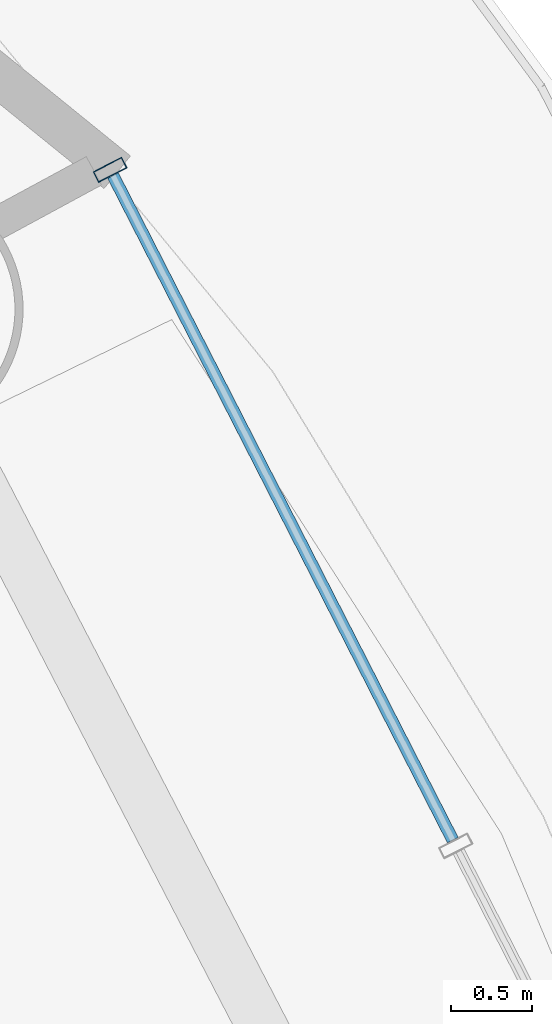
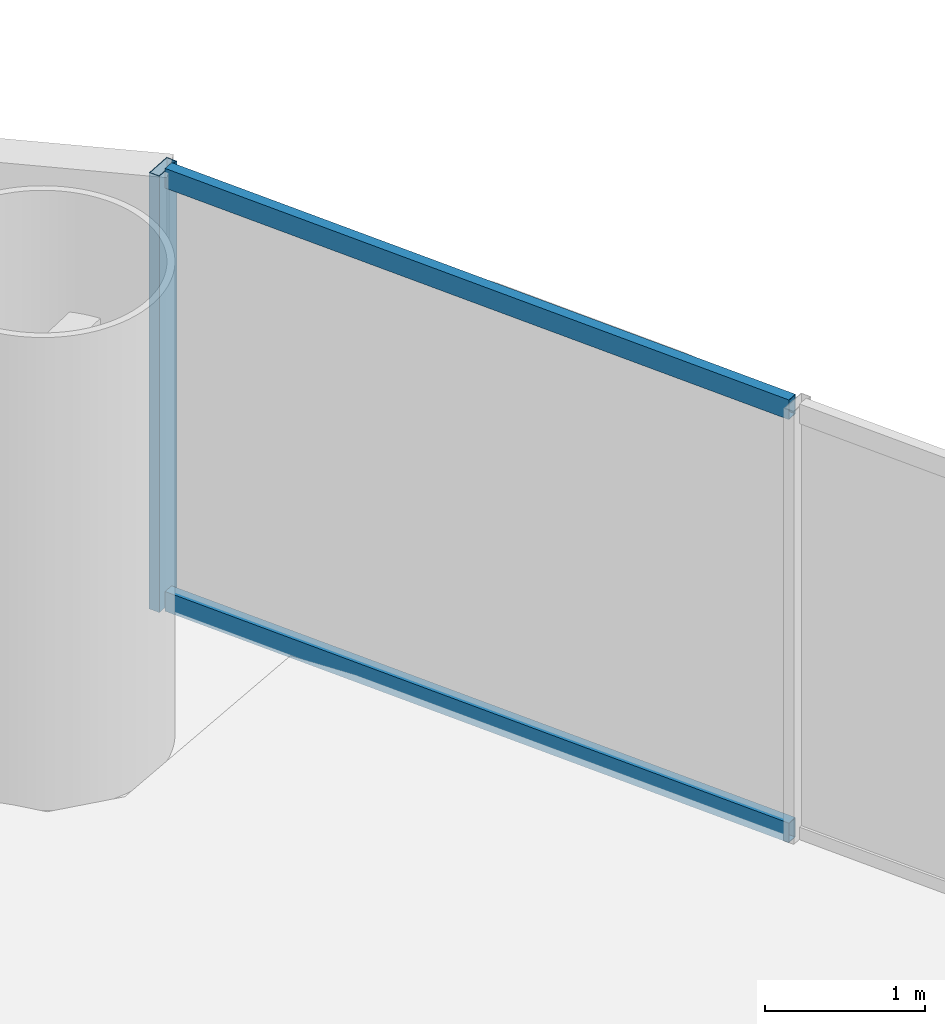
# One storey, part 21 of 30: 3 members, 1 element without a shape of its own.
"""IFC4 building model written with IfcOpenShell, lengths in metres."""

from ifc_helpers import new_model, si_unit, direction, frame, origin, origin_2d, place, context, subcontext, project, spatial, hollow_rectangle, extrude, source, transform, mapped, material, material_profile, profile_set, type_object, element, aggregate, save


model = new_model("IFC4")

# Units and contexts
model_context = context("Model", 3, precision=1e-05, world=origin(), true_north=direction((-0.2419218956, 0.970295726276)))
body_context = subcontext(model_context, "Body", "Model", "MODEL_VIEW")
ifc_project = project(units=[si_unit("LENGTHUNIT", "METRE"), si_unit("AREAUNIT", "SQUARE_METRE"), si_unit("VOLUMEUNIT", "CUBIC_METRE"), si_unit("PLANEANGLEUNIT", "RADIAN"), si_unit("MASSUNIT", "GRAM", prefix="KILO")], contexts=[model_context])

# Site, building, storey
site_placement = place(None, origin())
site = spatial("IfcSite", under=ifc_project, at=site_placement, CompositionType="ELEMENT")
building_placement = place(site_placement, origin())
building = spatial("IfcBuilding", under=site, at=building_placement, Name="Cobrevalo Terracotta Tower", CompositionType="ELEMENT")
storey_placement = place(building_placement, frame((0.0, 0.0, 56.39990234375)))
storey = spatial("IfcBuildingStorey", under=building, at=storey_placement, Name="L14", CompositionType="ELEMENT", Elevation=56.39990234375)

# Curtain wall, members
ifc_material = material(Name="Anodized aluminium", Category="aluminium")
curtain_wall_type = type_object("IfcCurtainWallType", Name="Lower-tower unitised acoustic low-E curtain wall CW-U1", PredefinedType="NOTDEFINED", material=ifc_material)
curtain_wall_placement = place(storey_placement, origin())
curtain_wall = element("IfcCurtainWall", 1, at=curtain_wall_placement, inside=storey, type_object=curtain_wall_type, Name="L14 curtain wall CW-L14-S01", PredefinedType="NOTDEFINED")
ifc_material_profile_1 = material_profile(ifc_material, hollow_rectangle(XDim=0.074951171875, YDim=0.199951171875, WallThickness=0.0048828125, at=origin_2d()), Name="CWM 75x200")
ifc_profile_set_1 = profile_set([ifc_material_profile_1], Name="Anodized aluminium")
member_type_1 = type_object("IfcMemberType", Name="Lower/mid tower unitised mullion 75x200", PredefinedType="MULLION", material=ifc_profile_set_1)
shared_shape_1 = source(origin(), body_context, "Body", "SweptSolid", [
    extrude(hollow_rectangle(XDim=0.074951171875, YDim=0.199951171875, WallThickness=0.0048828125, at=origin_2d()), origin(), (0.0, 0.0, 1.0), 3.320068359375),
])
member_1_placement = place(storey_placement, frame((62.10595703125, 39.8037109375, 0.0), z_axis=(0.0, 0.0, 1.0), x_axis=(-0.455234136597, 0.890371765543, 0.0)))
member_1 = element("IfcMember", 2, at=member_1_placement, type_object=member_type_1, Name="CW-L14-S01 vertical mullion 03", PredefinedType="MULLION", context=body_context, shape_type="MappedRepresentation", body=[
    mapped(shared_shape_1, transform((0.0, 0.0, 0.0), scale=1.0)),
])
ifc_material_profile_2 = material_profile(ifc_material, hollow_rectangle(XDim=0.074951171875, YDim=0.14990234375, WallThickness=0.00439453125, at=origin_2d()), Name="CWT 75x150")
ifc_profile_set_2 = profile_set([ifc_material_profile_2], Name="Anodized aluminium")
member_type_2 = type_object("IfcMemberType", Name="Tower unitised aluminium transom 75x150", PredefinedType="USERDEFINED", material=ifc_profile_set_2)
shared_shape_2 = source(origin(), body_context, "Body", "SweptSolid", [
    extrude(hollow_rectangle(XDim=0.074951171875, YDim=0.14990234375, WallThickness=0.00439453125, at=origin_2d()), origin(), (0.0, 0.0, 1.0), 4.63134765625),
])
member_2_placement = place(storey_placement, frame((64.232421875, 35.64453125, 0.050048828125), z_axis=(-0.455250376494, 0.890363462133, 0.0), x_axis=(-0.890363462133, -0.455250376494, 0.0)))
member_2 = element("IfcMember", 3, at=member_2_placement, type_object=member_type_2, Name="CW-L14-S01 transom B02-T1", ObjectType="TRANSOM", PredefinedType="USERDEFINED", context=body_context, shape_type="MappedRepresentation", body=[
    mapped(shared_shape_2, transform((0.0, 0.0, 0.0), scale=1.0)),
])
member_3_placement = place(storey_placement, frame((64.232421875, 35.64453125, 3.27001953125), z_axis=(-0.455250376494, 0.890363462133, 0.0), x_axis=(-0.890363462133, -0.455250376494, 0.0)))
member_3 = element("IfcMember", 4, at=member_3_placement, type_object=member_type_2, Name="CW-L14-S01 transom B02-T2", ObjectType="TRANSOM", PredefinedType="USERDEFINED", context=body_context, shape_type="MappedRepresentation", body=[
    mapped(shared_shape_2, transform((0.0, 0.0, 0.0), scale=1.0)),
])
aggregate(curtain_wall, [member_1, member_2, member_3])

save(model, "model.ifc")
